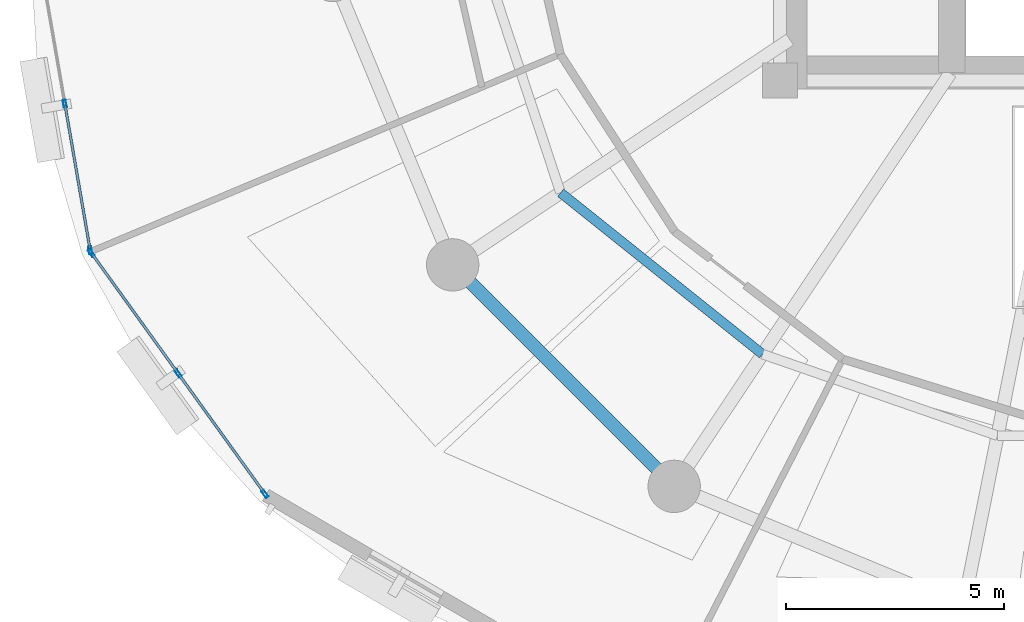
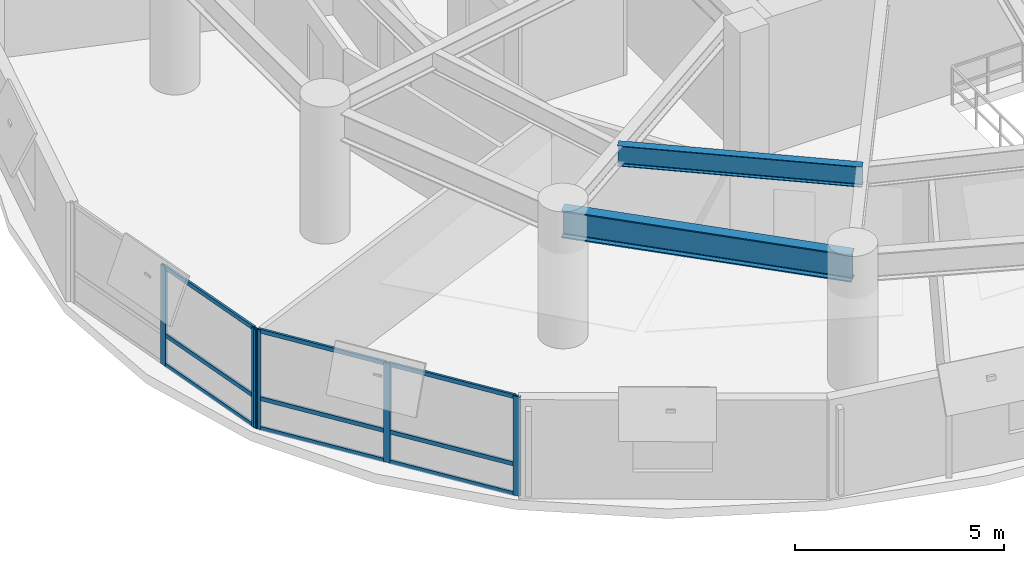
# One storey, part 2 of 14: 14 members, 2 beams, 2 elements without a shape of their own.
"""IFC4 building model written with IfcOpenShell, lengths in metres."""

from ifc_helpers import new_model, si_unit, direction, frame, origin, origin_2d, place, context, subcontext, project, spatial, hollow_rectangle, i_section, extrude, material, layer, layer_set, material_profile, profile_set, type_object, element, aggregate, save


model = new_model("IFC4")

# Units and contexts
model_context = context("Model", 3, precision=1e-05, world=origin(), true_north=direction((0.0, 1.0)))
body_context = subcontext(model_context, "Body", "Model", "MODEL_VIEW")
ifc_project = project(units=[si_unit("LENGTHUNIT", "METRE"), si_unit("AREAUNIT", "SQUARE_METRE"), si_unit("VOLUMEUNIT", "CUBIC_METRE"), si_unit("PLANEANGLEUNIT", "RADIAN"), si_unit("MASSUNIT", "GRAM", prefix="KILO"), si_unit("THERMODYNAMICTEMPERATUREUNIT", "KELVIN"), si_unit("POWERUNIT", "WATT")], contexts=[model_context])

# Site, building, storey
site_placement = place(None, origin())
site = spatial("IfcSite", under=ifc_project, at=site_placement, CompositionType="ELEMENT")
building_placement = place(site_placement, origin())
building = spatial("IfcBuilding", under=site, at=building_placement, Name="Ocrelia Relay Tower", CompositionType="ELEMENT")
storey_placement = place(building_placement, frame((0.0, 0.0, 129.800048828125)))
storey = spatial("IfcBuildingStorey", under=building, at=storey_placement, Name="L30", CompositionType="ELEMENT", Elevation=129.800048828125)

# Beams
ifc_material_1 = material(Name="Steel S355", Category="steel")
ifc_material_profile_1 = material_profile(ifc_material_1, i_section(OverallWidth=0.300048828125, OverallDepth=0.800048828125, WebThickness=0.017578125, FlangeThickness=0.032958984375, FilletRadius=0.030029296875, at=origin_2d()), Name="HEB 800")
ifc_profile_set_1 = profile_set([ifc_material_profile_1], Name="Steel S355")
beam_type_1 = type_object("IfcBeamType", Name="BM-HEB800", PredefinedType="BEAM", material=ifc_profile_set_1)
beam_1_placement = place(storey_placement, frame((18.700927734375, 15.777587890625, 3.320068359375), z_axis=(0.707106781187, -0.707106781187, 0.0), x_axis=(0.707106781187, 0.707106781187, 0.0)))
element("IfcBeam", 1, at=beam_1_placement, inside=storey, type_object=beam_type_1, Name="L30 Perimeter Spandrel Beam S10", PredefinedType="BEAM", context=body_context, shape_type="SweptSolid", body=[
    extrude(i_section(OverallWidth=0.300048828125, OverallDepth=0.800048828125, WebThickness=0.017578125, FlangeThickness=0.032958984375, FilletRadius=0.030029296875, at=origin_2d()), origin(), (0.0, 0.0, 1.0), 7.179443359375),
])
ifc_material_profile_2 = material_profile(ifc_material_1, i_section(OverallWidth=0.219970703125, OverallDepth=0.60009765625, WebThickness=0.011962890625, FlangeThickness=0.01904296875, FilletRadius=0.02392578125, at=origin_2d()), Name="IPE 600")
ifc_profile_set_2 = profile_set([ifc_material_profile_2], Name="Steel S355")
beam_type_2 = type_object("IfcBeamType", Name="BM-IPE600", PredefinedType="JOIST", material=ifc_profile_set_2)
beam_2_placement = place(storey_placement, frame((21.17431640625, 17.43017578125, 3.419921875), z_axis=(0.781130070991, -0.62436833055, 0.0), x_axis=(0.62436833055, 0.781130070991, 0.0)))
element("IfcBeam", 2, at=beam_2_placement, inside=storey, type_object=beam_type_2, Name="L30 Secondary Floor Joist J10", PredefinedType="JOIST", context=body_context, shape_type="SweptSolid", body=[
    extrude(i_section(OverallWidth=0.219970703125, OverallDepth=0.60009765625, WebThickness=0.011962890625, FlangeThickness=0.01904296875, FilletRadius=0.02392578125, at=origin_2d()), origin(), (0.0, 0.0, 1.0), 5.92431640625),
])

# Curtain wall, members
ifc_material_2 = material(Name="Aluminium and solar-control low-E glass", Category="aluminium")
ifc_layer = layer(ifc_material_2, 0.179931640625, Name="Aluminium and solar-control low-E glass")
ifc_layer_set = layer_set([ifc_layer], Name="Aluminium and solar-control low-E glass")
curtain_wall_type = type_object("IfcCurtainWallType", Name="CW-SYS-Z2-SWIT", PredefinedType="NOTDEFINED", material=ifc_layer_set)
curtain_wall_1_placement = place(storey_placement, origin())
curtain_wall_1 = element("IfcCurtainWall", 3, at=curtain_wall_1_placement, inside=storey, type_object=curtain_wall_type, Name="L30 Elliptical Tower Curtain Wall Bay 09", PredefinedType="NOTDEFINED")
ifc_material_3 = material(Name="Anodised bronze aluminium", Category="aluminium")
ifc_material_profile_3 = material_profile(ifc_material_3, hollow_rectangle(XDim=0.070068359375, YDim=0.179931640625, WallThickness=0.006103515625, at=origin_2d()), Name="CW-MUL-180x70")
ifc_profile_set_3 = profile_set([ifc_material_profile_3], Name="Anodised bronze aluminium")
member_type_1 = type_object("IfcMemberType", Name="CW-SYS-Z2-SWIT-MUL", PredefinedType="MULLION", material=ifc_profile_set_3)
member_1_placement = place(storey_placement, frame((9.81298828125, 19.46875, 0.0), z_axis=(0.0, 0.0, 1.0), x_axis=(0.985317086306, 0.170734411981, 0.0)))
member_1 = element("IfcMember", 4, at=member_1_placement, type_object=member_type_1, Name="CW-Z2 mullion 2", PredefinedType="MULLION", context=body_context, shape_type="SweptSolid", body=[
    extrude(hollow_rectangle(XDim=0.070068359375, YDim=0.179931640625, WallThickness=0.006103515625, at=origin_2d()), origin(), (0.0, 0.0, 1.0), 2.89990234375),
])
member_2_placement = place(storey_placement, frame((10.394287109375, 16.114013671875, 0.0), z_axis=(0.0, 0.0, 1.0), x_axis=(0.985317086306, 0.170734411981, 0.0)))
member_2 = element("IfcMember", 5, at=member_2_placement, type_object=member_type_1, Name="CW-Z2 mullion 3", PredefinedType="MULLION", context=body_context, shape_type="SweptSolid", body=[
    extrude(hollow_rectangle(XDim=0.070068359375, YDim=0.179931640625, WallThickness=0.006103515625, at=origin_2d()), origin(), (0.0, 0.0, 1.0), 2.89990234375),
])

curtain_wall_2_placement = place(storey_placement, origin())
curtain_wall_2 = element("IfcCurtainWall", 6, at=curtain_wall_2_placement, inside=storey, type_object=curtain_wall_type, Name="L30 Elliptical Tower Curtain Wall Bay 10", PredefinedType="NOTDEFINED")
member_3_placement = place(storey_placement, frame((10.420654296875, 16.05126953125, 0.0), z_axis=(0.0, 0.0, 1.0), x_axis=(0.811374390366, 0.58452681603, 0.0)))
member_3 = element("IfcMember", 7, at=member_3_placement, type_object=member_type_1, Name="CW-Z2 mullion 1", PredefinedType="MULLION", context=body_context, shape_type="SweptSolid", body=[
    extrude(hollow_rectangle(XDim=0.070068359375, YDim=0.179931640625, WallThickness=0.006103515625, at=origin_2d()), origin(), (0.0, 0.0, 1.0), 2.89990234375),
])
member_4_placement = place(storey_placement, frame((12.410888671875, 13.288818359375, 0.0), z_axis=(0.0, 0.0, 1.0), x_axis=(0.811374390366, 0.58452681603, 0.0)))
member_4 = element("IfcMember", 8, at=member_4_placement, type_object=member_type_1, Name="CW-Z2 mullion 2", PredefinedType="MULLION", context=body_context, shape_type="SweptSolid", body=[
    extrude(hollow_rectangle(XDim=0.070068359375, YDim=0.179931640625, WallThickness=0.006103515625, at=origin_2d()), origin(), (0.0, 0.0, 1.0), 2.89990234375),
])
member_5_placement = place(storey_placement, frame((14.40087890625, 10.526611328125, 0.0), z_axis=(0.0, 0.0, 1.0), x_axis=(0.811374390366, 0.58452681603, 0.0)))
member_5 = element("IfcMember", 9, at=member_5_placement, type_object=member_type_1, Name="CW-Z2 mullion 3", PredefinedType="MULLION", context=body_context, shape_type="SweptSolid", body=[
    extrude(hollow_rectangle(XDim=0.070068359375, YDim=0.179931640625, WallThickness=0.006103515625, at=origin_2d()), origin(), (0.0, 0.0, 1.0), 2.89990234375),
])

# Member
ifc_material_profile_4 = material_profile(ifc_material_3, hollow_rectangle(XDim=0.06005859375, YDim=0.1201171875, WallThickness=0.0048828125, at=origin_2d()), Name="CW-TRN-120x60")
ifc_profile_set_4 = profile_set([ifc_material_profile_4], Name="Anodised bronze aluminium")
member_type_2 = type_object("IfcMemberType", Name="CW-SYS-Z2-SWIT-TRN", PredefinedType="USERDEFINED", material=ifc_profile_set_4)
member_6_placement = place(storey_placement, frame((9.819091796875, 19.43408203125, 0.030029296875), z_axis=(0.170747864247, -0.98531475522, 0.0), x_axis=(0.98531475522, 0.170747864247, 0.0)))
member_6 = element("IfcMember", 10, at=member_6_placement, type_object=member_type_2, Name="CW-Z2 transom 2.1", ObjectType="TRANSOM", PredefinedType="USERDEFINED", context=body_context, shape_type="SweptSolid", body=[
    extrude(hollow_rectangle(XDim=0.06005859375, YDim=0.1201171875, WallThickness=0.0048828125, at=origin_2d()), origin(), (0.0, 0.0, 1.0), 3.33447265625),
])

member_7_placement = place(storey_placement, frame((9.819091796875, 19.43408203125, 0.89990234375), z_axis=(0.170747864247, -0.98531475522, 0.0), x_axis=(0.98531475522, 0.170747864247, 0.0)))
member_7 = element("IfcMember", 11, at=member_7_placement, type_object=member_type_2, Name="CW-Z2 transom 2.2", ObjectType="TRANSOM", PredefinedType="USERDEFINED", context=body_context, shape_type="SweptSolid", body=[
    extrude(hollow_rectangle(XDim=0.06005859375, YDim=0.1201171875, WallThickness=0.0048828125, at=origin_2d()), origin(), (0.0, 0.0, 1.0), 3.33447265625),
])

member_8_placement = place(storey_placement, frame((9.819091796875, 19.43408203125, 2.869873046875), z_axis=(0.170747864247, -0.98531475522, 0.0), x_axis=(0.98531475522, 0.170747864247, 0.0)))
member_8 = element("IfcMember", 12, at=member_8_placement, type_object=member_type_2, Name="CW-Z2 transom 2.3", ObjectType="TRANSOM", PredefinedType="USERDEFINED", context=body_context, shape_type="SweptSolid", body=[
    extrude(hollow_rectangle(XDim=0.06005859375, YDim=0.1201171875, WallThickness=0.0048828125, at=origin_2d()), origin(), (0.0, 0.0, 1.0), 3.33447265625),
])

aggregate(curtain_wall_1, [member_1, member_2, member_6, member_7, member_8])

member_9_placement = place(storey_placement, frame((10.441162109375, 16.022705078125, 0.030029296875), z_axis=(0.584543862406, -0.811362109618, 0.0), x_axis=(0.811362109618, 0.584543862406, 0.0)))
member_9 = element("IfcMember", 13, at=member_9_placement, type_object=member_type_2, Name="CW-Z2 transom 1.1", ObjectType="TRANSOM", PredefinedType="USERDEFINED", context=body_context, shape_type="SweptSolid", body=[
    extrude(hollow_rectangle(XDim=0.06005859375, YDim=0.1201171875, WallThickness=0.0048828125, at=origin_2d()), origin(), (0.0, 0.0, 1.0), 3.334716796875),
])

member_10_placement = place(storey_placement, frame((10.441162109375, 16.022705078125, 0.89990234375), z_axis=(0.584543862406, -0.811362109618, 0.0), x_axis=(0.811362109618, 0.584543862406, 0.0)))
member_10 = element("IfcMember", 14, at=member_10_placement, type_object=member_type_2, Name="CW-Z2 transom 1.2", ObjectType="TRANSOM", PredefinedType="USERDEFINED", context=body_context, shape_type="SweptSolid", body=[
    extrude(hollow_rectangle(XDim=0.06005859375, YDim=0.1201171875, WallThickness=0.0048828125, at=origin_2d()), origin(), (0.0, 0.0, 1.0), 3.334716796875),
])

member_11_placement = place(storey_placement, frame((10.441162109375, 16.022705078125, 2.869873046875), z_axis=(0.584543862406, -0.811362109618, 0.0), x_axis=(0.811362109618, 0.584543862406, 0.0)))
member_11 = element("IfcMember", 15, at=member_11_placement, type_object=member_type_2, Name="CW-Z2 transom 1.3", ObjectType="TRANSOM", PredefinedType="USERDEFINED", context=body_context, shape_type="SweptSolid", body=[
    extrude(hollow_rectangle(XDim=0.06005859375, YDim=0.1201171875, WallThickness=0.0048828125, at=origin_2d()), origin(), (0.0, 0.0, 1.0), 3.334716796875),
])

member_12_placement = place(storey_placement, frame((12.43115234375, 13.260498046875, 0.030029296875), z_axis=(0.584543862406, -0.811362109618, 0.0), x_axis=(0.811362109618, 0.584543862406, 0.0)))
member_12 = element("IfcMember", 16, at=member_12_placement, type_object=member_type_2, Name="CW-Z2 transom 2.1", ObjectType="TRANSOM", PredefinedType="USERDEFINED", context=body_context, shape_type="SweptSolid", body=[
    extrude(hollow_rectangle(XDim=0.06005859375, YDim=0.1201171875, WallThickness=0.0048828125, at=origin_2d()), origin(), (0.0, 0.0, 1.0), 3.334716796875),
])

member_13_placement = place(storey_placement, frame((12.43115234375, 13.260498046875, 0.89990234375), z_axis=(0.584543862406, -0.811362109618, 0.0), x_axis=(0.811362109618, 0.584543862406, 0.0)))
member_13 = element("IfcMember", 17, at=member_13_placement, type_object=member_type_2, Name="CW-Z2 transom 2.2", ObjectType="TRANSOM", PredefinedType="USERDEFINED", context=body_context, shape_type="SweptSolid", body=[
    extrude(hollow_rectangle(XDim=0.06005859375, YDim=0.1201171875, WallThickness=0.0048828125, at=origin_2d()), origin(), (0.0, 0.0, 1.0), 3.334716796875),
])

member_14_placement = place(storey_placement, frame((12.43115234375, 13.260498046875, 2.869873046875), z_axis=(0.584543862406, -0.811362109618, 0.0), x_axis=(0.811362109618, 0.584543862406, 0.0)))
member_14 = element("IfcMember", 18, at=member_14_placement, type_object=member_type_2, Name="CW-Z2 transom 2.3", ObjectType="TRANSOM", PredefinedType="USERDEFINED", context=body_context, shape_type="SweptSolid", body=[
    extrude(hollow_rectangle(XDim=0.06005859375, YDim=0.1201171875, WallThickness=0.0048828125, at=origin_2d()), origin(), (0.0, 0.0, 1.0), 3.334716796875),
])

aggregate(curtain_wall_2, [member_3, member_4, member_5, member_9, member_10, member_11, member_12, member_13, member_14])

save(model, "model.ifc")
